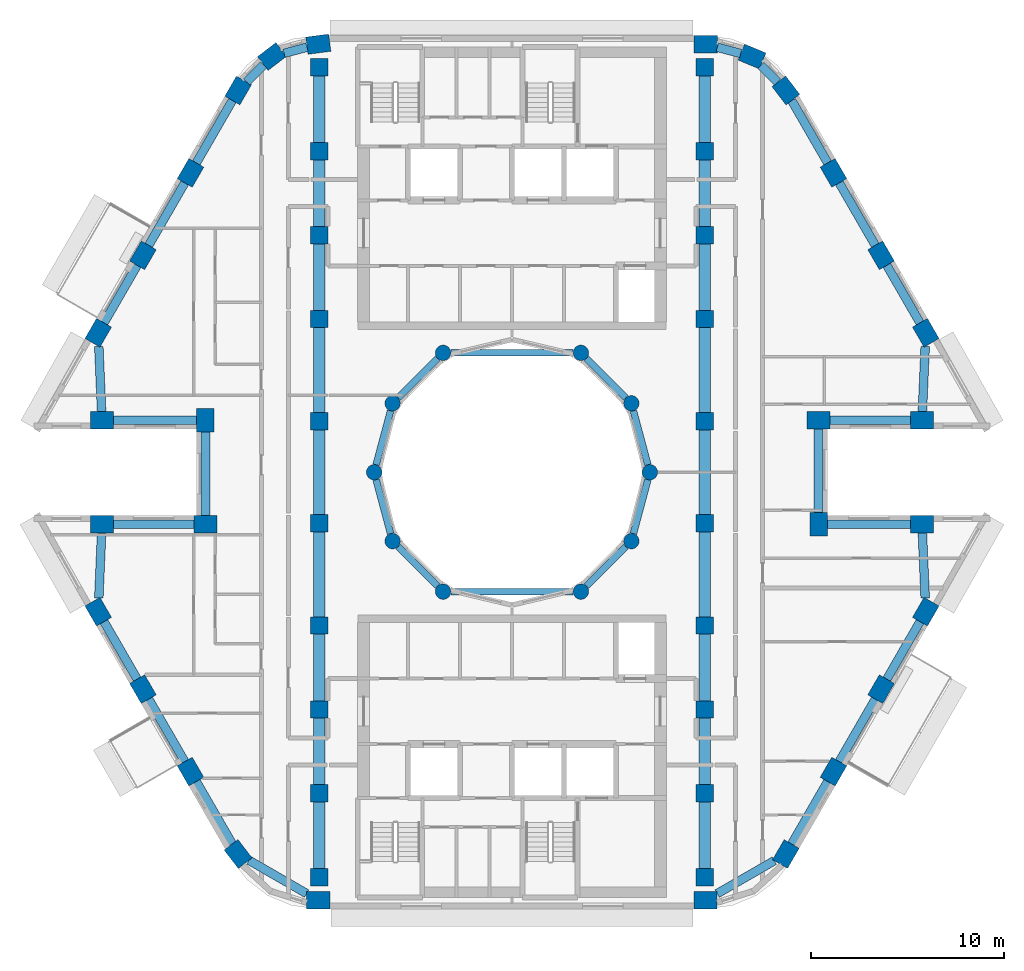
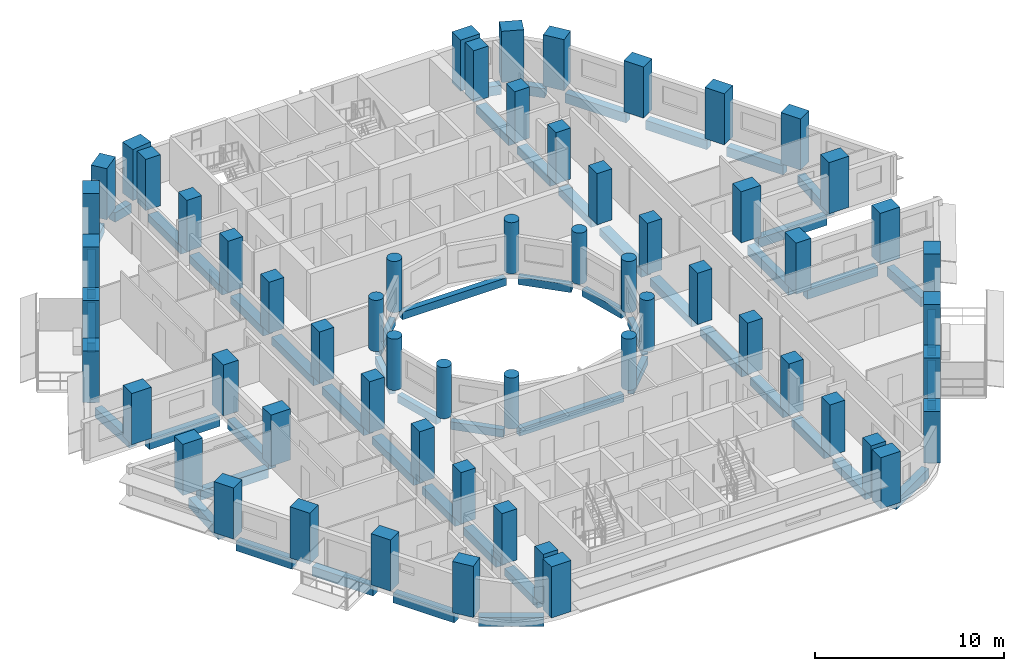
# One storey, part 1 of 17: 60 columns, 56 beams.
"""IFC4 building model written with IfcOpenShell, lengths in metres."""

from ifc_helpers import new_model, si_unit, direction, frame, origin, origin_2d, place, context, subcontext, project, spatial, rectangle, circle, extrude, material, material_profile, profile_set, type_object, element, save


model = new_model("IFC4")

# Units and contexts
model_context = context("Model", 3, precision=1e-05, world=origin(), true_north=direction((0.0, 1.0)))
body_context = subcontext(model_context, "Body", "Model", "MODEL_VIEW")
ifc_project = project(units=[si_unit("LENGTHUNIT", "METRE"), si_unit("AREAUNIT", "SQUARE_METRE"), si_unit("VOLUMEUNIT", "CUBIC_METRE"), si_unit("PLANEANGLEUNIT", "RADIAN"), si_unit("MASSUNIT", "GRAM", prefix="KILO")], contexts=[model_context])

# Site, building, storey
site_placement = place(None, origin())
site = spatial("IfcSite", under=ifc_project, at=site_placement, CompositionType="ELEMENT")
building_placement = place(site_placement, origin())
building = spatial("IfcBuilding", under=site, at=building_placement, Name="Nakaniwa Court", CompositionType="ELEMENT")
storey_placement = place(building_placement, frame((0.0, 0.0, 209.699951171875)))
storey = spatial("IfcBuildingStorey", under=building, at=storey_placement, Name="L55", CompositionType="ELEMENT", Elevation=209.699951171875)

# Columns
ifc_material = material(Name="Concrete C80/100", Category="concrete")
ifc_material_profile_1 = material_profile(ifc_material, rectangle(XDim=1.199951171875, YDim=0.89990234375, at=origin_2d()), Name="Concrete C80/100 RC 1200x900 perimeter column")
ifc_profile_set_1 = profile_set([ifc_material_profile_1], Name="Concrete C80/100")
column_type_1 = type_object("IfcColumnType", Name="Concrete C80/100 RC 1200x900 perimeter column", PredefinedType="COLUMN", material=ifc_profile_set_1)
for number, where, z_axis, x_axis, name in (
    (1, (69.95458984375, 102.199951171875, 0.0), (0.0, 0.0, 1.0), (-0.991442583111, -0.130543496177, 0.0), "COLUMN CO-01"),
    (2, (67.552001953125, 101.560302734375, 0.0), (0.0, 0.0, 1.0), (-0.793363965062, -0.608747582288, 0.0), "COLUMN CO-02"),
    (3, (65.796875, 99.799560546875, 0.0), (0.0, 0.0, 1.0), (-0.5, -0.866025403784, 0.0), "COLUMN CO-03"),
    (4, (63.328857421875, 95.524658203125, 0.0), (0.0, 0.0, 1.0), (-0.5, -0.866025403784, 0.0), "COLUMN CO-04"),
    (5, (60.860595703125, 91.249755859375, 0.0), (0.0, 0.0, 1.0), (-0.5, -0.866025403784, 0.0), "COLUMN CO-05"),
    (6, (58.541015625, 87.232177734375, 0.0), (0.0, 0.0, 1.0), (-0.5, -0.866025403784, 0.0), "COLUMN CO-06"),
    (7, (58.736083984375, 82.699951171875, 0.0), (0.0, 0.0, 1.0), (1.0, 0.0, 0.0), "COLUMN CO-08"),
    (8, (64.1005859375, 82.699951171875, 0.0), (0.0, 0.0, 1.0), (0.0, -1.0, 0.0), "COLUMN CO-09"),
    (9, (64.1005859375, 77.300048828125, 0.0), (0.0, 0.0, 1.0), (-1.0, 0.0, 0.0), "COLUMN CO-10"),
    (10, (58.736083984375, 77.300048828125, 0.0), (0.0, 0.0, 1.0), (-1.0, 0.0, 0.0), "COLUMN CO-11"),
    (11, (58.541015625, 72.767822265625, 0.0), (0.0, 0.0, 1.0), (0.5, -0.866025403784, 0.0), "COLUMN CO-13"),
    (12, (60.860595703125, 68.750244140625, 0.0), (0.0, 0.0, 1.0), (0.5, -0.866025403784, 0.0), "COLUMN CO-14"),
    (13, (63.328857421875, 64.475341796875, 0.0), (0.0, 0.0, 1.0), (0.5, -0.866025403784, 0.0), "COLUMN CO-15"),
    (14, (65.796875, 60.200439453125, 0.0), (0.0, 0.0, 1.0), (0.608761429009, -0.793353340291, 0.0), "COLUMN CO-16"),
    (15, (69.95458984375, 57.800048828125, 0.0), (0.0, 0.0, 1.0), (1.0, 0.0, 0.0), "COLUMN CO-17"),
    (16, (90.03955078125, 57.800048828125, 0.0), (0.0, 0.0, 1.0), (1.0, 0.0, 0.0), "COLUMN CO-21"),
    (17, (94.203125, 60.200439453125, 0.0), (0.0, 0.0, 1.0), (0.5, 0.866025403784, 0.0), "COLUMN CO-22"),
    (18, (96.671142578125, 64.475341796875, 0.0), (0.0, 0.0, 1.0), (0.5, 0.866025403784, 0.0), "COLUMN CO-23"),
    (19, (99.139404296875, 68.750244140625, 0.0), (0.0, 0.0, 1.0), (0.5, 0.866025403784, 0.0), "COLUMN CO-24"),
    (20, (101.458984375, 72.767822265625, 0.0), (0.0, 0.0, 1.0), (0.5, 0.866025403784, 0.0), "COLUMN CO-25"),
    (21, (101.263916015625, 77.300048828125, 0.0), (0.0, 0.0, 1.0), (-1.0, 0.0, 0.0), "COLUMN CO-27"),
    (22, (95.8994140625, 77.300048828125, 0.0), (0.0, 0.0, 1.0), (0.0, 1.0, 0.0), "COLUMN CO-28"),
    (23, (95.8994140625, 82.699951171875, 0.0), (0.0, 0.0, 1.0), (1.0, 0.0, 0.0), "COLUMN CO-29"),
    (24, (101.263916015625, 82.699951171875, 0.0), (0.0, 0.0, 1.0), (1.0, 0.0, 0.0), "COLUMN CO-30"),
    (25, (101.458984375, 87.232177734375, 0.0), (0.0, 0.0, 1.0), (-0.5, 0.866025403784, 0.0), "COLUMN CO-32"),
    (26, (99.139404296875, 91.249755859375, 0.0), (0.0, 0.0, 1.0), (-0.5, 0.866025403784, 0.0), "COLUMN CO-33"),
    (27, (96.671142578125, 95.524658203125, 0.0), (0.0, 0.0, 1.0), (-0.5, 0.866025403784, 0.0), "COLUMN CO-34"),
    (28, (94.203125, 99.799560546875, 0.0), (0.0, 0.0, 1.0), (-0.608761429009, 0.793353340291, 0.0), "COLUMN CO-35"),
    (29, (92.447998046875, 101.560302734375, 0.0), (0.0, 0.0, 1.0), (-0.923879532511, 0.382683432365, 0.0), "COLUMN CO-36"),
    (30, (90.04541015625, 102.199951171875, 0.0), (0.0, 0.0, 1.0), (-1.0, 0.0, 0.0), "COLUMN CO-37"),
):
    element("IfcColumn", number, at=place(storey_placement, frame(where, z_axis=z_axis, x_axis=x_axis)), inside=storey, type_object=column_type_1, Name=name, PredefinedType="COLUMN", context=body_context, shape_type="SweptSolid", body=[
        extrude(rectangle(XDim=1.199951171875, YDim=0.89990234375, at=origin_2d()), origin(), (0.0, 0.0, 1.0), 3.300048828125),
    ])
ifc_material_profile_2 = material_profile(ifc_material, rectangle(XDim=0.89990234375, YDim=0.89990234375, at=origin_2d()), Name="Concrete C80/100 RC 900x900 spine column")
ifc_profile_set_2 = profile_set([ifc_material_profile_2], Name="Concrete C80/100")
column_type_2 = type_object("IfcColumnType", Name="Concrete C80/100 RC 900x900 spine column", PredefinedType="COLUMN", material=ifc_profile_set_2)
for number, where, z_axis, x_axis, name in (
    (31, (90.0, 59.0, 0.0), (0.0, 0.0, 1.0), (0.0, 1.0, 0.0), "COLUMN CS-01"),
    (32, (90.0, 63.35009765625, 0.0), (0.0, 0.0, 1.0), (0.0, 1.0, 0.0), "COLUMN CS-02"),
    (33, (90.0, 67.699951171875, 0.0), (0.0, 0.0, 1.0), (0.0, 1.0, 0.0), "COLUMN CS-03"),
    (34, (90.0, 72.050048828125, 0.0), (0.0, 0.0, 1.0), (0.0, 1.0, 0.0), "COLUMN CS-04"),
    (35, (90.0, 77.35009765625, 0.0), (0.0, 0.0, 1.0), (0.0, 1.0, 0.0), "COLUMN CS-05"),
    (36, (90.0, 82.64990234375, 0.0), (0.0, 0.0, 1.0), (0.0, 1.0, 0.0), "COLUMN CS-06"),
    (37, (90.0, 87.949951171875, 0.0), (0.0, 0.0, 1.0), (0.0, 1.0, 0.0), "COLUMN CS-07"),
    (38, (90.0, 92.300048828125, 0.0), (0.0, 0.0, 1.0), (0.0, 1.0, 0.0), "COLUMN CS-08"),
    (39, (90.0, 96.64990234375, 0.0), (0.0, 0.0, 1.0), (0.0, 1.0, 0.0), "COLUMN CS-09"),
    (40, (90.0, 101.0, 0.0), (0.0, 0.0, 1.0), (0.0, 1.0, 0.0), "COLUMN CS-10"),
    (41, (70.0, 101.0, 0.0), (0.0, 0.0, 1.0), (0.0, -1.0, 0.0), "COLUMN CS-11"),
    (42, (70.0, 96.64990234375, 0.0), (0.0, 0.0, 1.0), (0.0, -1.0, 0.0), "COLUMN CS-12"),
    (43, (70.0, 92.300048828125, 0.0), (0.0, 0.0, 1.0), (0.0, -1.0, 0.0), "COLUMN CS-13"),
    (44, (70.0, 87.949951171875, 0.0), (0.0, 0.0, 1.0), (0.0, -1.0, 0.0), "COLUMN CS-14"),
    (45, (70.0, 82.64990234375, 0.0), (0.0, 0.0, 1.0), (0.0, -1.0, 0.0), "COLUMN CS-15"),
    (46, (70.0, 77.35009765625, 0.0), (0.0, 0.0, 1.0), (0.0, -1.0, 0.0), "COLUMN CS-16"),
    (47, (70.0, 72.050048828125, 0.0), (0.0, 0.0, 1.0), (0.0, -1.0, 0.0), "COLUMN CS-17"),
    (48, (70.0, 67.699951171875, 0.0), (0.0, 0.0, 1.0), (0.0, -1.0, 0.0), "COLUMN CS-18"),
    (49, (70.0, 63.35009765625, 0.0), (0.0, 0.0, 1.0), (0.0, -1.0, 0.0), "COLUMN CS-19"),
    (50, (70.0, 59.0, 0.0), (0.0, 0.0, 1.0), (0.0, -1.0, 0.0), "COLUMN CS-20"),
):
    element("IfcColumn", number, at=place(storey_placement, frame(where, z_axis=z_axis, x_axis=x_axis)), inside=storey, type_object=column_type_2, Name=name, PredefinedType="COLUMN", context=body_context, shape_type="SweptSolid", body=[
        extrude(rectangle(XDim=0.89990234375, YDim=0.89990234375, at=origin_2d()), origin(), (0.0, 0.0, 1.0), 3.300048828125),
    ])
ifc_material_profile_3 = material_profile(ifc_material, circle(Radius=0.39990234375, at=origin_2d()), Name="Concrete C80/100 RC D800 inner ring column")
ifc_profile_set_3 = profile_set([ifc_material_profile_3], Name="Concrete C80/100")
column_type_3 = type_object("IfcColumnType", Name="Concrete C80/100 RC D800 inner ring column", PredefinedType="COLUMN", material=ifc_profile_set_3)
for number, where, z_axis, x_axis, name in (
    (51, (87.14990234375, 80.0, 0.0), (0.0, 0.0, 1.0), (0.0, 1.0, 0.0), "COLUMN CI-01"),
    (52, (86.192138671875, 83.574951171875, 0.0), (0.0, 0.0, 1.0), (-0.5, 0.866025403784, 0.0), "COLUMN CI-02"),
    (53, (83.574951171875, 86.192138671875, 0.0), (0.0, 0.0, 1.0), (-0.866025403784, 0.5, 0.0), "COLUMN CI-03"),
    (54, (76.425048828125, 86.192138671875, 0.0), (0.0, 0.0, 1.0), (-0.866025403784, -0.5, 0.0), "COLUMN CI-05"),
    (55, (73.807861328125, 83.574951171875, 0.0), (0.0, 0.0, 1.0), (-0.5, -0.866025403784, 0.0), "COLUMN CI-06"),
    (56, (72.85009765625, 80.0, 0.0), (0.0, 0.0, 1.0), (0.0, -1.0, 0.0), "COLUMN CI-07"),
    (57, (73.807861328125, 76.425048828125, 0.0), (0.0, 0.0, 1.0), (0.5, -0.866025403784, 0.0), "COLUMN CI-08"),
    (58, (76.425048828125, 73.807861328125, 0.0), (0.0, 0.0, 1.0), (0.866025403784, -0.5, 0.0), "COLUMN CI-09"),
    (59, (83.574951171875, 73.807861328125, 0.0), (0.0, 0.0, 1.0), (0.866025403784, 0.5, 0.0), "COLUMN CI-11"),
    (60, (86.192138671875, 76.425048828125, 0.0), (0.0, 0.0, 1.0), (0.5, 0.866025403784, 0.0), "COLUMN CI-12"),
):
    element("IfcColumn", number, at=place(storey_placement, frame(where, z_axis=z_axis, x_axis=x_axis)), inside=storey, type_object=column_type_3, Name=name, PredefinedType="COLUMN", context=body_context, shape_type="SweptSolid", body=[
        extrude(circle(Radius=0.39990234375, at=origin_2d()), origin(), (0.0, 0.0, 1.0), 3.300048828125),
    ])

# Beams
ifc_material_profile_4 = material_profile(ifc_material, rectangle(XDim=0.35009765625, YDim=0.5, at=origin_2d()), Name="Concrete C80/100 RC 350x500 ring beam")
ifc_profile_set_4 = profile_set([ifc_material_profile_4], Name="Concrete C80/100")
beam_type_1 = type_object("IfcBeamType", Name="Concrete C80/100 RC 350x500 ring beam", PredefinedType="BEAM", material=ifc_profile_set_4)
beam_1_placement = place(storey_placement, frame((87.04638671875, 80.386474609375, -0.52490234375), z_axis=(-0.258778150207, 0.965936783115, 0.0), x_axis=(-0.965936783115, -0.258778150207, 0.0)))
element("IfcBeam", 61, at=beam_1_placement, inside=storey, type_object=beam_type_1, Name="RING BEAM", PredefinedType="BEAM", context=body_context, shape_type="SweptSolid", body=[
    extrude(rectangle(XDim=0.35009765625, YDim=0.5, at=origin_2d()), origin(), (0.0, 0.0, 1.0), 2.901123046875),
])
beam_2_placement = place(storey_placement, frame((85.9091796875, 83.85791015625, -0.52490234375), z_axis=(-0.707106781187, 0.707106781187, 0.0), x_axis=(-0.707106781187, -0.707106781187, 0.0)))
element("IfcBeam", 62, at=beam_2_placement, inside=storey, type_object=beam_type_1, Name="RING BEAM", PredefinedType="BEAM", context=body_context, shape_type="SweptSolid", body=[
    extrude(rectangle(XDim=0.35009765625, YDim=0.5, at=origin_2d()), origin(), (0.0, 0.0, 1.0), 2.90087890625),
])
beam_3_placement = place(storey_placement, frame((83.175048828125, 86.192138671875, -0.52490234375), z_axis=(-1.0, 0.0, 0.0), x_axis=(0.0, -1.0, 0.0)))
element("IfcBeam", 63, at=beam_3_placement, inside=storey, type_object=beam_type_1, Name="RING BEAM", PredefinedType="BEAM", context=body_context, shape_type="SweptSolid", body=[
    extrude(rectangle(XDim=0.35009765625, YDim=0.5, at=origin_2d()), origin(), (0.0, 0.0, 1.0), 6.35009765625),
])
beam_4_placement = place(storey_placement, frame((76.14208984375, 85.9091796875, -0.52490234375), z_axis=(-0.707106781187, -0.707106781187, 0.0), x_axis=(0.707106781187, -0.707106781187, 0.0)))
element("IfcBeam", 64, at=beam_4_placement, inside=storey, type_object=beam_type_1, Name="RING BEAM", PredefinedType="BEAM", context=body_context, shape_type="SweptSolid", body=[
    extrude(rectangle(XDim=0.35009765625, YDim=0.5, at=origin_2d()), origin(), (0.0, 0.0, 1.0), 2.90087890625),
])
for number, where, z_axis, x_axis, name in (
    (65, (73.704345703125, 83.188720703125, -0.52490234375), (-0.258778150207, -0.965936783115, 0.0), (0.965936783115, -0.258778150207, 0.0), "RING BEAM"),
    (66, (72.95361328125, 79.613525390625, -0.52490234375), (0.258778150207, -0.965936783115, 0.0), (0.965936783115, 0.258778150207, 0.0), "RING BEAM"),
):
    element("IfcBeam", number, at=place(storey_placement, frame(where, z_axis=z_axis, x_axis=x_axis)), inside=storey, type_object=beam_type_1, Name=name, PredefinedType="BEAM", context=body_context, shape_type="SweptSolid", body=[
        extrude(rectangle(XDim=0.35009765625, YDim=0.5, at=origin_2d()), origin(), (0.0, 0.0, 1.0), 2.901123046875),
    ])
beam_5_placement = place(storey_placement, frame((74.0908203125, 76.14208984375, -0.52490234375), z_axis=(0.707106781187, -0.707106781187, 0.0), x_axis=(0.707106781187, 0.707106781187, 0.0)))
element("IfcBeam", 67, at=beam_5_placement, inside=storey, type_object=beam_type_1, Name="RING BEAM", PredefinedType="BEAM", context=body_context, shape_type="SweptSolid", body=[
    extrude(rectangle(XDim=0.35009765625, YDim=0.5, at=origin_2d()), origin(), (0.0, 0.0, 1.0), 2.90087890625),
])
beam_6_placement = place(storey_placement, frame((76.824951171875, 73.807861328125, -0.52490234375), z_axis=(1.0, 0.0, 0.0), x_axis=(0.0, 1.0, 0.0)))
element("IfcBeam", 68, at=beam_6_placement, inside=storey, type_object=beam_type_1, Name="RING BEAM", PredefinedType="BEAM", context=body_context, shape_type="SweptSolid", body=[
    extrude(rectangle(XDim=0.35009765625, YDim=0.5, at=origin_2d()), origin(), (0.0, 0.0, 1.0), 6.35009765625),
])
beam_7_placement = place(storey_placement, frame((83.85791015625, 74.0908203125, -0.52490234375), z_axis=(0.707106781187, 0.707106781187, 0.0), x_axis=(-0.707106781187, 0.707106781187, 0.0)))
element("IfcBeam", 69, at=beam_7_placement, inside=storey, type_object=beam_type_1, Name="RING BEAM", PredefinedType="BEAM", context=body_context, shape_type="SweptSolid", body=[
    extrude(rectangle(XDim=0.35009765625, YDim=0.5, at=origin_2d()), origin(), (0.0, 0.0, 1.0), 2.90087890625),
])
beam_8_placement = place(storey_placement, frame((86.295654296875, 76.811279296875, -0.52490234375), z_axis=(0.258778150207, 0.965936783115, 0.0), x_axis=(-0.965936783115, 0.258778150207, 0.0)))
element("IfcBeam", 70, at=beam_8_placement, inside=storey, type_object=beam_type_1, Name="RING BEAM", PredefinedType="BEAM", context=body_context, shape_type="SweptSolid", body=[
    extrude(rectangle(XDim=0.35009765625, YDim=0.5, at=origin_2d()), origin(), (0.0, 0.0, 1.0), 2.901123046875),
])
ifc_material_profile_5 = material_profile(ifc_material, rectangle(XDim=0.449951171875, YDim=0.60009765625, at=origin_2d()), Name="Concrete C80/100 RC 450x600 spandrel beam")
ifc_profile_set_5 = profile_set([ifc_material_profile_5], Name="Concrete C80/100")
beam_type_2 = type_object("IfcBeamType", Name="Concrete C80/100 RC 450x600 spandrel beam", PredefinedType="BEAM", material=ifc_profile_set_5)
beam_9_placement = place(storey_placement, frame((69.3701171875, 102.044189453125, -0.574951171875), z_axis=(-0.966320442624, -0.257341800272, 0.0), x_axis=(0.257341800272, -0.966320442624, 0.0)))
element("IfcBeam", 71, at=beam_9_placement, inside=storey, type_object=beam_type_2, Name="SPANDREL BEAM", PredefinedType="BEAM", context=body_context, shape_type="SweptSolid", body=[
    extrude(rectangle(XDim=0.449951171875, YDim=0.60009765625, at=origin_2d()), origin(), (0.0, 0.0, 1.0), 1.2314453125),
])
beam_10_placement = place(storey_placement, frame((67.124755859375, 101.131591796875, -0.574951171875), z_axis=(-0.705943141011, -0.708268509578, 0.0), x_axis=(0.708268509578, -0.705943141011, 0.0)))
element("IfcBeam", 72, at=beam_10_placement, inside=storey, type_object=beam_type_2, Name="SPANDREL BEAM", PredefinedType="BEAM", context=body_context, shape_type="SweptSolid", body=[
    extrude(rectangle(XDim=0.449951171875, YDim=0.60009765625, at=origin_2d()), origin(), (0.0, 0.0, 1.0), 1.259765625),
])
for number, where, z_axis, x_axis, name in (
    (73, (65.496826171875, 99.27978515625, -0.574951171875), (-0.499969460568, -0.866043035016, 0.0), (0.866043035016, -0.499969460568, 0.0), "SPANDREL BEAM"),
    (74, (63.02880859375, 95.0048828125, -0.574951171875), (-0.500018470369, -0.866014739649, 0.0), (0.866014739649, -0.500018470369, 0.0), "SPANDREL BEAM"),
):
    element("IfcBeam", number, at=place(storey_placement, frame(where, z_axis=z_axis, x_axis=x_axis)), inside=storey, type_object=beam_type_2, Name=name, PredefinedType="BEAM", context=body_context, shape_type="SweptSolid", body=[
        extrude(rectangle(XDim=0.449951171875, YDim=0.60009765625, at=origin_2d()), origin(), (0.0, 0.0, 1.0), 3.736083984375),
    ])
beam_11_placement = place(storey_placement, frame((60.560791015625, 90.72998046875, -0.574951171875), z_axis=(-0.500048133448, -0.865997612142, 0.0), x_axis=(0.865997612142, -0.500048133448, 0.0)))
element("IfcBeam", 75, at=beam_11_placement, inside=storey, type_object=beam_type_2, Name="SPANDREL BEAM", PredefinedType="BEAM", context=body_context, shape_type="SweptSolid", body=[
    extrude(rectangle(XDim=0.449951171875, YDim=0.60009765625, at=origin_2d()), origin(), (0.0, 0.0, 1.0), 3.439208984375),
])
beam_12_placement = place(storey_placement, frame((58.57177734375, 86.521728515625, -0.574951171875), z_axis=(0.042897265713, -0.999079488627, 0.0), x_axis=(0.999079488627, 0.042897265713, 0.0)))
element("IfcBeam", 76, at=beam_12_placement, inside=storey, type_object=beam_type_2, Name="SPANDREL BEAM", PredefinedType="BEAM", context=body_context, shape_type="SweptSolid", body=[
    extrude(rectangle(XDim=0.449951171875, YDim=0.60009765625, at=origin_2d()), origin(), (0.0, 0.0, 1.0), 3.375),
])
beam_13_placement = place(storey_placement, frame((59.3359375, 82.699951171875, -0.574951171875), z_axis=(1.0, 0.0, 0.0), x_axis=(0.0, 1.0, 0.0)))
element("IfcBeam", 77, at=beam_13_placement, inside=storey, type_object=beam_type_2, Name="SPANDREL BEAM", PredefinedType="BEAM", context=body_context, shape_type="SweptSolid", body=[
    extrude(rectangle(XDim=0.449951171875, YDim=0.60009765625, at=origin_2d()), origin(), (0.0, 0.0, 1.0), 4.314453125),
])
beam_14_placement = place(storey_placement, frame((64.1005859375, 82.10009765625, -0.574951171875), z_axis=(0.0, -1.0, 0.0), x_axis=(1.0, 0.0, 0.0)))
element("IfcBeam", 78, at=beam_14_placement, inside=storey, type_object=beam_type_2, Name="SPANDREL BEAM", PredefinedType="BEAM", context=body_context, shape_type="SweptSolid", body=[
    extrude(rectangle(XDim=0.449951171875, YDim=0.60009765625, at=origin_2d()), origin(), (0.0, 0.0, 1.0), 4.35009765625),
])
beam_15_placement = place(storey_placement, frame((63.50048828125, 77.300048828125, -0.574951171875), z_axis=(-1.0, 0.0, 0.0), x_axis=(0.0, -1.0, 0.0)))
element("IfcBeam", 79, at=beam_15_placement, inside=storey, type_object=beam_type_2, Name="SPANDREL BEAM", PredefinedType="BEAM", context=body_context, shape_type="SweptSolid", body=[
    extrude(rectangle(XDim=0.449951171875, YDim=0.60009765625, at=origin_2d()), origin(), (0.0, 0.0, 1.0), 4.16455078125),
])
beam_16_placement = place(storey_placement, frame((58.716552734375, 76.85009765625, -0.574951171875), z_axis=(-0.042897265713, -0.999079488627, 0.0), x_axis=(0.999079488627, -0.042897265713, 0.0)))
element("IfcBeam", 80, at=beam_16_placement, inside=storey, type_object=beam_type_2, Name="SPANDREL BEAM", PredefinedType="BEAM", context=body_context, shape_type="SweptSolid", body=[
    extrude(rectangle(XDim=0.449951171875, YDim=0.60009765625, at=origin_2d()), origin(), (0.0, 0.0, 1.0), 3.375),
])
beam_17_placement = place(storey_placement, frame((58.841064453125, 72.248291015625, -0.574951171875), z_axis=(0.500048133448, -0.865997612142, 0.0), x_axis=(0.865997612142, 0.500048133448, 0.0)))
element("IfcBeam", 81, at=beam_17_placement, inside=storey, type_object=beam_type_2, Name="SPANDREL BEAM", PredefinedType="BEAM", context=body_context, shape_type="SweptSolid", body=[
    extrude(rectangle(XDim=0.449951171875, YDim=0.60009765625, at=origin_2d()), origin(), (0.0, 0.0, 1.0), 3.439208984375),
])
beam_18_placement = place(storey_placement, frame((61.16064453125, 68.230712890625, -0.574951171875), z_axis=(0.500018470369, -0.866014739649, 0.0), x_axis=(0.866014739649, 0.500018470369, 0.0)))
element("IfcBeam", 82, at=beam_18_placement, inside=storey, type_object=beam_type_2, Name="SPANDREL BEAM", PredefinedType="BEAM", context=body_context, shape_type="SweptSolid", body=[
    extrude(rectangle(XDim=0.449951171875, YDim=0.60009765625, at=origin_2d()), origin(), (0.0, 0.0, 1.0), 3.736083984375),
])
beam_19_placement = place(storey_placement, frame((63.62890625, 63.955810546875, -0.574951171875), z_axis=(0.499988672538, -0.866031943599, 0.0), x_axis=(0.866031943599, 0.499988672538, 0.0)))
element("IfcBeam", 83, at=beam_19_placement, inside=storey, type_object=beam_type_2, Name="SPANDREL BEAM", PredefinedType="BEAM", context=body_context, shape_type="SweptSolid", body=[
    extrude(rectangle(XDim=0.449951171875, YDim=0.60009765625, at=origin_2d()), origin(), (0.0, 0.0, 1.0), 3.73095703125),
])
beam_20_placement = place(storey_placement, frame((66.359375, 59.875732421875, -0.574951171875), z_axis=(0.866041005548, -0.49997297598, 0.0), x_axis=(0.49997297598, 0.866041005548, 0.0)))
element("IfcBeam", 84, at=beam_20_placement, inside=storey, type_object=beam_type_2, Name="SPANDREL BEAM", PredefinedType="BEAM", context=body_context, shape_type="SweptSolid", body=[
    extrude(rectangle(XDim=0.449951171875, YDim=0.60009765625, at=origin_2d()), origin(), (0.0, 0.0, 1.0), 3.458740234375),
])
beam_21_placement = place(storey_placement, frame((90.639404296875, 58.14599609375, -0.574951171875), z_axis=(0.866361397704, 0.499417589367, 0.0), x_axis=(-0.499417589367, 0.866361397704, 0.0)))
element("IfcBeam", 85, at=beam_21_placement, inside=storey, type_object=beam_type_2, Name="SPANDREL BEAM", PredefinedType="BEAM", context=body_context, shape_type="SweptSolid", body=[
    extrude(rectangle(XDim=0.449951171875, YDim=0.60009765625, at=origin_2d()), origin(), (0.0, 0.0, 1.0), 3.42041015625),
])
for number, where, z_axis, x_axis, name in (
    (86, (94.503173828125, 60.72021484375, -0.574951171875), (0.499969460568, 0.866043035016, 0.0), (-0.866043035016, 0.499969460568, 0.0), "SPANDREL BEAM"),
    (87, (96.97119140625, 64.9951171875, -0.574951171875), (0.500018470369, 0.866014739649, 0.0), (-0.866014739649, 0.500018470369, 0.0), "SPANDREL BEAM"),
):
    element("IfcBeam", number, at=place(storey_placement, frame(where, z_axis=z_axis, x_axis=x_axis)), inside=storey, type_object=beam_type_2, Name=name, PredefinedType="BEAM", context=body_context, shape_type="SweptSolid", body=[
        extrude(rectangle(XDim=0.449951171875, YDim=0.60009765625, at=origin_2d()), origin(), (0.0, 0.0, 1.0), 3.736083984375),
    ])
beam_22_placement = place(storey_placement, frame((99.439208984375, 69.27001953125, -0.574951171875), z_axis=(0.500048133448, 0.865997612142, 0.0), x_axis=(-0.865997612142, 0.500048133448, 0.0)))
element("IfcBeam", 88, at=beam_22_placement, inside=storey, type_object=beam_type_2, Name="SPANDREL BEAM", PredefinedType="BEAM", context=body_context, shape_type="SweptSolid", body=[
    extrude(rectangle(XDim=0.449951171875, YDim=0.60009765625, at=origin_2d()), origin(), (0.0, 0.0, 1.0), 3.439208984375),
])
beam_23_placement = place(storey_placement, frame((101.42822265625, 73.478271484375, -0.574951171875), z_axis=(-0.042897265713, 0.999079488627, 0.0), x_axis=(-0.999079488627, -0.042897265713, 0.0)))
element("IfcBeam", 89, at=beam_23_placement, inside=storey, type_object=beam_type_2, Name="SPANDREL BEAM", PredefinedType="BEAM", context=body_context, shape_type="SweptSolid", body=[
    extrude(rectangle(XDim=0.449951171875, YDim=0.60009765625, at=origin_2d()), origin(), (0.0, 0.0, 1.0), 3.375),
])
beam_24_placement = place(storey_placement, frame((100.6640625, 77.300048828125, -0.574951171875), z_axis=(-1.0, 0.0, 0.0), x_axis=(0.0, -1.0, 0.0)))
element("IfcBeam", 90, at=beam_24_placement, inside=storey, type_object=beam_type_2, Name="SPANDREL BEAM", PredefinedType="BEAM", context=body_context, shape_type="SweptSolid", body=[
    extrude(rectangle(XDim=0.449951171875, YDim=0.60009765625, at=origin_2d()), origin(), (0.0, 0.0, 1.0), 4.314453125),
])
beam_25_placement = place(storey_placement, frame((95.8994140625, 77.89990234375, -0.574951171875), z_axis=(0.0, 1.0, 0.0), x_axis=(-1.0, 0.0, 0.0)))
element("IfcBeam", 91, at=beam_25_placement, inside=storey, type_object=beam_type_2, Name="SPANDREL BEAM", PredefinedType="BEAM", context=body_context, shape_type="SweptSolid", body=[
    extrude(rectangle(XDim=0.449951171875, YDim=0.60009765625, at=origin_2d()), origin(), (0.0, 0.0, 1.0), 4.35009765625),
])
beam_26_placement = place(storey_placement, frame((96.49951171875, 82.699951171875, -0.574951171875), z_axis=(1.0, 0.0, 0.0), x_axis=(0.0, 1.0, 0.0)))
element("IfcBeam", 92, at=beam_26_placement, inside=storey, type_object=beam_type_2, Name="SPANDREL BEAM", PredefinedType="BEAM", context=body_context, shape_type="SweptSolid", body=[
    extrude(rectangle(XDim=0.449951171875, YDim=0.60009765625, at=origin_2d()), origin(), (0.0, 0.0, 1.0), 4.16455078125),
])
beam_27_placement = place(storey_placement, frame((101.283447265625, 83.14990234375, -0.574951171875), z_axis=(0.042897265713, 0.999079488627, 0.0), x_axis=(-0.999079488627, 0.042897265713, 0.0)))
element("IfcBeam", 93, at=beam_27_placement, inside=storey, type_object=beam_type_2, Name="SPANDREL BEAM", PredefinedType="BEAM", context=body_context, shape_type="SweptSolid", body=[
    extrude(rectangle(XDim=0.449951171875, YDim=0.60009765625, at=origin_2d()), origin(), (0.0, 0.0, 1.0), 3.375),
])
beam_28_placement = place(storey_placement, frame((101.158935546875, 87.751708984375, -0.574951171875), z_axis=(-0.500048133448, 0.865997612142, 0.0), x_axis=(-0.865997612142, -0.500048133448, 0.0)))
element("IfcBeam", 94, at=beam_28_placement, inside=storey, type_object=beam_type_2, Name="SPANDREL BEAM", PredefinedType="BEAM", context=body_context, shape_type="SweptSolid", body=[
    extrude(rectangle(XDim=0.449951171875, YDim=0.60009765625, at=origin_2d()), origin(), (0.0, 0.0, 1.0), 3.439208984375),
])
beam_29_placement = place(storey_placement, frame((98.83935546875, 91.769287109375, -0.574951171875), z_axis=(-0.500018470369, 0.866014739649, 0.0), x_axis=(-0.866014739649, -0.500018470369, 0.0)))
element("IfcBeam", 95, at=beam_29_placement, inside=storey, type_object=beam_type_2, Name="SPANDREL BEAM", PredefinedType="BEAM", context=body_context, shape_type="SweptSolid", body=[
    extrude(rectangle(XDim=0.449951171875, YDim=0.60009765625, at=origin_2d()), origin(), (0.0, 0.0, 1.0), 3.736083984375),
])
beam_30_placement = place(storey_placement, frame((96.37109375, 96.044189453125, -0.574951171875), z_axis=(-0.499988672538, 0.866031943599, 0.0), x_axis=(-0.866031943599, -0.499988672538, 0.0)))
element("IfcBeam", 96, at=beam_30_placement, inside=storey, type_object=beam_type_2, Name="SPANDREL BEAM", PredefinedType="BEAM", context=body_context, shape_type="SweptSolid", body=[
    extrude(rectangle(XDim=0.449951171875, YDim=0.60009765625, at=origin_2d()), origin(), (0.0, 0.0, 1.0), 3.73095703125),
])
beam_31_placement = place(storey_placement, frame((93.77587890625, 100.22802734375, -0.574951171875), z_axis=(-0.705916034154, 0.708295526404, 0.0), x_axis=(-0.708295526404, -0.705916034154, 0.0)))
element("IfcBeam", 97, at=beam_31_placement, inside=storey, type_object=beam_type_2, Name="SPANDREL BEAM", PredefinedType="BEAM", context=body_context, shape_type="SweptSolid", body=[
    extrude(rectangle(XDim=0.449951171875, YDim=0.60009765625, at=origin_2d()), origin(), (0.0, 0.0, 1.0), 1.231201171875),
])
beam_32_placement = place(storey_placement, frame((91.863037109375, 101.716064453125, -0.574951171875), z_axis=(-0.966337757832, 0.257276772735, 0.0), x_axis=(-0.257276772735, -0.966337757832, 0.0)))
element("IfcBeam", 98, at=beam_32_placement, inside=storey, type_object=beam_type_2, Name="SPANDREL BEAM", PredefinedType="BEAM", context=body_context, shape_type="SweptSolid", body=[
    extrude(rectangle(XDim=0.449951171875, YDim=0.60009765625, at=origin_2d()), origin(), (0.0, 0.0, 1.0), 1.26025390625),
])
ifc_material_profile_6 = material_profile(ifc_material, rectangle(XDim=0.60009765625, YDim=0.5, at=origin_2d()), Name="Concrete C80/100 RC 600x500 ring beam")
ifc_profile_set_6 = profile_set([ifc_material_profile_6], Name="Concrete C80/100")
beam_type_3 = type_object("IfcBeamType", Name="Concrete C80/100 RC 600x500 ring beam", PredefinedType="BEAM", material=ifc_profile_set_6)
for number, where, z_axis, x_axis, name in (
    (99, (90.0, 59.449951171875, -0.52490234375), (0.0, 1.0, 0.0), (-1.0, 0.0, 0.0), "RING BEAM"),
    (100, (90.0, 63.800048828125, -0.52490234375), (0.0, 1.0, 0.0), (-1.0, 0.0, 0.0), "RING BEAM"),
):
    element("IfcBeam", number, at=place(storey_placement, frame(where, z_axis=z_axis, x_axis=x_axis)), inside=storey, type_object=beam_type_3, Name=name, PredefinedType="BEAM", context=body_context, shape_type="SweptSolid", body=[
        extrude(rectangle(XDim=0.60009765625, YDim=0.5, at=origin_2d()), origin(), (0.0, 0.0, 1.0), 3.449951171875),
    ])
beam_33_placement = place(storey_placement, frame((90.0, 68.14990234375, -0.52490234375), z_axis=(0.0, 1.0, 0.0), x_axis=(-1.0, 0.0, 0.0)))
element("IfcBeam", 101, at=beam_33_placement, inside=storey, type_object=beam_type_3, Name="RING BEAM", PredefinedType="BEAM", context=body_context, shape_type="SweptSolid", body=[
    extrude(rectangle(XDim=0.60009765625, YDim=0.5, at=origin_2d()), origin(), (0.0, 0.0, 1.0), 3.4501953125),
])
for number, where, z_axis, x_axis, name in (
    (102, (90.0, 72.5, -0.52490234375), (0.0, 1.0, 0.0), (-1.0, 0.0, 0.0), "RING BEAM"),
    (103, (90.0, 77.800048828125, -0.52490234375), (0.0, 1.0, 0.0), (-1.0, 0.0, 0.0), "RING BEAM"),
    (104, (90.0, 83.10009765625, -0.52490234375), (0.0, 1.0, 0.0), (-1.0, 0.0, 0.0), "RING BEAM"),
):
    element("IfcBeam", number, at=place(storey_placement, frame(where, z_axis=z_axis, x_axis=x_axis)), inside=storey, type_object=beam_type_3, Name=name, PredefinedType="BEAM", context=body_context, shape_type="SweptSolid", body=[
        extrude(rectangle(XDim=0.60009765625, YDim=0.5, at=origin_2d()), origin(), (0.0, 0.0, 1.0), 4.39990234375),
    ])
beam_34_placement = place(storey_placement, frame((90.0, 88.39990234375, -0.52490234375), z_axis=(0.0, 1.0, 0.0), x_axis=(-1.0, 0.0, 0.0)))
element("IfcBeam", 105, at=beam_34_placement, inside=storey, type_object=beam_type_3, Name="RING BEAM", PredefinedType="BEAM", context=body_context, shape_type="SweptSolid", body=[
    extrude(rectangle(XDim=0.60009765625, YDim=0.5, at=origin_2d()), origin(), (0.0, 0.0, 1.0), 3.4501953125),
])
for number, where, z_axis, x_axis, name in (
    (106, (90.0, 92.75, -0.52490234375), (0.0, 1.0, 0.0), (-1.0, 0.0, 0.0), "RING BEAM"),
    (107, (90.0, 97.10009765625, -0.52490234375), (0.0, 1.0, 0.0), (-1.0, 0.0, 0.0), "RING BEAM"),
    (108, (70.0, 100.550048828125, -0.52490234375), (0.0, -1.0, 0.0), (1.0, 0.0, 0.0), "RING BEAM"),
    (109, (70.0, 96.199951171875, -0.52490234375), (0.0, -1.0, 0.0), (1.0, 0.0, 0.0), "RING BEAM"),
):
    element("IfcBeam", number, at=place(storey_placement, frame(where, z_axis=z_axis, x_axis=x_axis)), inside=storey, type_object=beam_type_3, Name=name, PredefinedType="BEAM", context=body_context, shape_type="SweptSolid", body=[
        extrude(rectangle(XDim=0.60009765625, YDim=0.5, at=origin_2d()), origin(), (0.0, 0.0, 1.0), 3.449951171875),
    ])
beam_35_placement = place(storey_placement, frame((70.0, 91.85009765625, -0.52490234375), z_axis=(0.0, -1.0, 0.0), x_axis=(1.0, 0.0, 0.0)))
element("IfcBeam", 110, at=beam_35_placement, inside=storey, type_object=beam_type_3, Name="RING BEAM", PredefinedType="BEAM", context=body_context, shape_type="SweptSolid", body=[
    extrude(rectangle(XDim=0.60009765625, YDim=0.5, at=origin_2d()), origin(), (0.0, 0.0, 1.0), 3.4501953125),
])
for number, where, z_axis, x_axis, name in (
    (111, (70.0, 87.5, -0.52490234375), (0.0, -1.0, 0.0), (1.0, 0.0, 0.0), "RING BEAM"),
    (112, (70.0, 82.199951171875, -0.52490234375), (0.0, -1.0, 0.0), (1.0, 0.0, 0.0), "RING BEAM"),
    (113, (70.0, 76.89990234375, -0.52490234375), (0.0, -1.0, 0.0), (1.0, 0.0, 0.0), "RING BEAM"),
):
    element("IfcBeam", number, at=place(storey_placement, frame(where, z_axis=z_axis, x_axis=x_axis)), inside=storey, type_object=beam_type_3, Name=name, PredefinedType="BEAM", context=body_context, shape_type="SweptSolid", body=[
        extrude(rectangle(XDim=0.60009765625, YDim=0.5, at=origin_2d()), origin(), (0.0, 0.0, 1.0), 4.39990234375),
    ])
beam_36_placement = place(storey_placement, frame((70.0, 71.60009765625, -0.52490234375), z_axis=(0.0, -1.0, 0.0), x_axis=(1.0, 0.0, 0.0)))
element("IfcBeam", 114, at=beam_36_placement, inside=storey, type_object=beam_type_3, Name="RING BEAM", PredefinedType="BEAM", context=body_context, shape_type="SweptSolid", body=[
    extrude(rectangle(XDim=0.60009765625, YDim=0.5, at=origin_2d()), origin(), (0.0, 0.0, 1.0), 3.4501953125),
])
for number, where, z_axis, x_axis, name in (
    (115, (70.0, 67.25, -0.52490234375), (0.0, -1.0, 0.0), (1.0, 0.0, 0.0), "RING BEAM"),
    (116, (70.0, 62.89990234375, -0.52490234375), (0.0, -1.0, 0.0), (1.0, 0.0, 0.0), "RING BEAM"),
):
    element("IfcBeam", number, at=place(storey_placement, frame(where, z_axis=z_axis, x_axis=x_axis)), inside=storey, type_object=beam_type_3, Name=name, PredefinedType="BEAM", context=body_context, shape_type="SweptSolid", body=[
        extrude(rectangle(XDim=0.60009765625, YDim=0.5, at=origin_2d()), origin(), (0.0, 0.0, 1.0), 3.449951171875),
    ])

save(model, "model.ifc")
